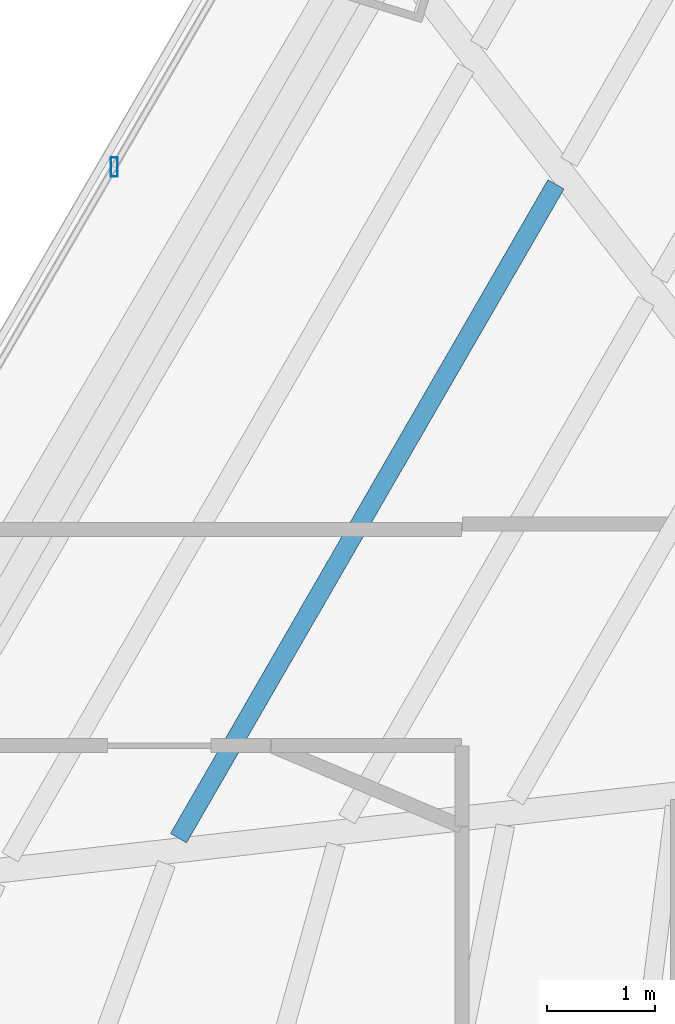
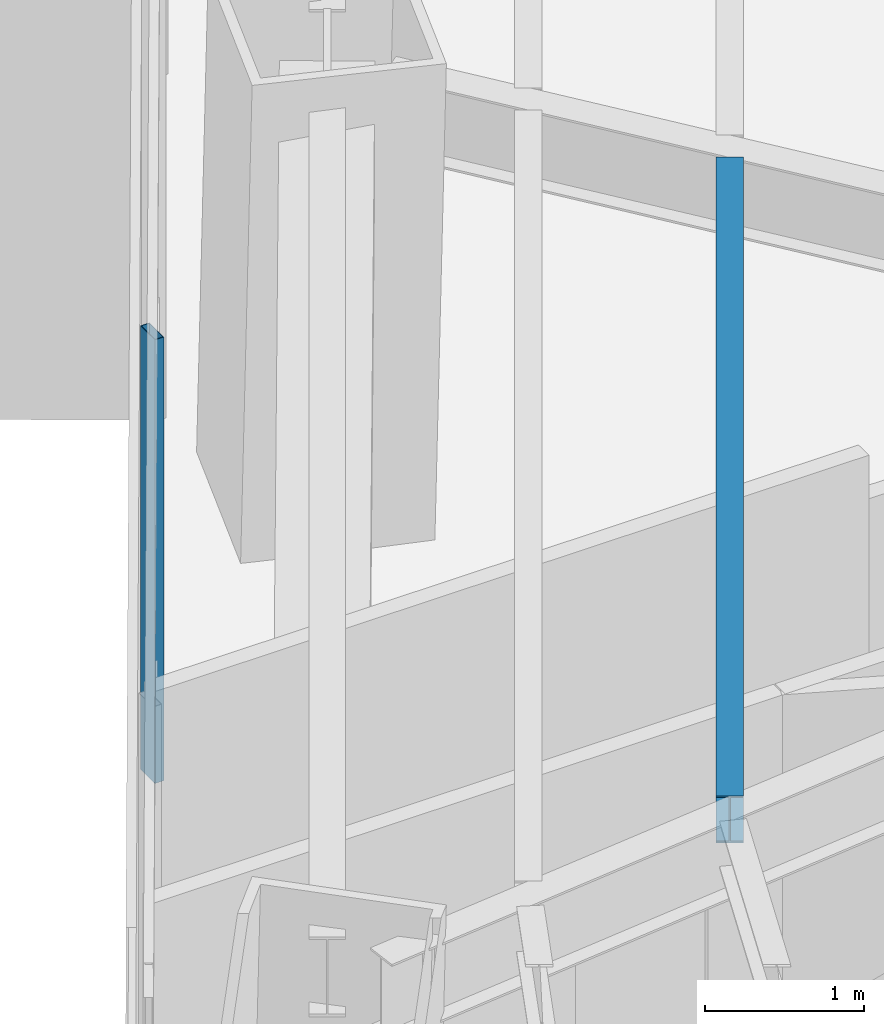
# One storey, part 14 of 38: 1 beam, 1 member, 1 element without a shape of its own.
"""IFC4 building model written with IfcOpenShell, lengths in metres."""

from ifc_helpers import new_model, si_unit, direction, frame, origin, origin_2d, place, context, subcontext, project, spatial, hollow_rectangle, i_section, extrude, source, transform, mapped, material, material_profile, profile_set, type_object, type_shapes, element, aggregate, save


model = new_model("IFC4")

# Units and contexts
model_context = context("Model", 3, precision=1e-05, world=origin(), true_north=direction((0.0, 1.0)))
body_context = subcontext(model_context, "Body", "Model", "MODEL_VIEW")
ifc_project = project(units=[si_unit("LENGTHUNIT", "METRE"), si_unit("AREAUNIT", "SQUARE_METRE"), si_unit("VOLUMEUNIT", "CUBIC_METRE"), si_unit("PLANEANGLEUNIT", "RADIAN"), si_unit("MASSUNIT", "GRAM", prefix="KILO")], contexts=[model_context])

# Site, building, storey
site_placement = place(None, origin())
site = spatial("IfcSite", under=ifc_project, at=site_placement, CompositionType="ELEMENT")
building_placement = place(site_placement, origin())
building = spatial("IfcBuilding", under=site, at=building_placement, Name="Caelisora Broadcast Tower", CompositionType="ELEMENT")
storey_placement = place(building_placement, frame((0.0, 0.0, 67.75)))
storey = spatial("IfcBuildingStorey", under=building, at=storey_placement, Name="L17", CompositionType="ELEMENT", Elevation=67.75)

# Beam
ifc_material_1 = material(Name="Steel Grade 350 (AS/NZS 3679.1)", Category="steel")
ifc_material_profile_1 = material_profile(ifc_material_1, i_section(OverallWidth=0.172119140625, OverallDepth=0.358642578125, WebThickness=0.008056640625, FlangeThickness=0.012939453125, at=origin_2d()), Name="Steel Grade 350 (AS/NZS 3679.1)")
ifc_profile_set_1 = profile_set([ifc_material_profile_1], Name="Steel Grade 350 (AS/NZS 3679.1)")
beam_type = type_object("IfcBeamType", Name="SB02", PredefinedType="JOIST", material=ifc_profile_set_1)
shared_shape_1 = source(origin(), body_context, "Body", "SweptSolid", [
    extrude(i_section(OverallWidth=0.172119140625, OverallDepth=0.358642578125, WebThickness=0.008056640625, FlangeThickness=0.012939453125, at=origin_2d()), origin(), (0.0, 0.0, 1.0), 6.989990234375),
])
type_shapes(beam_type, [shared_shape_1])
beam_placement = place(storey_placement, frame((26.26904296875, 35.29638671875, 3.220703125), z_axis=(-0.49998952364, -0.866031452229, 0.0), x_axis=(0.866031452229, -0.49998952364, 0.0)))
element("IfcBeam", 1, at=beam_placement, inside=storey, type_object=beam_type, Name="L17 beam SB02", PredefinedType="JOIST", context=body_context, shape_type="MappedRepresentation", body=[
    mapped(shared_shape_1, transform((0.0, 0.0, 0.0), scale=1.0)),
])

# Curtain wall, member
ifc_material_2 = material(Name="Unitised Aluminium Insulated Shadow-Box Spandrel Curtain Wall", Category="aluminium")
curtain_wall_type = type_object("IfcCurtainWallType", Name="CW-SP1", PredefinedType="NOTDEFINED", material=ifc_material_2)
curtain_wall_placement = place(storey_placement, origin())
curtain_wall = element("IfcCurtainWall", 2, at=curtain_wall_placement, inside=storey, type_object=curtain_wall_type, Name="L17 curtain wall CW-SP1", PredefinedType="NOTDEFINED")
ifc_material_3 = material(Name="Aluminium 6063-T6 Anodised Terracotta Bronze", Category="aluminium")
ifc_material_profile_2 = material_profile(ifc_material_3, hollow_rectangle(XDim=0.06494140625, YDim=0.179931640625, WallThickness=0.00341796875, at=origin_2d()), Name="Aluminium 6063-T6 Anodised Terracotta Bronze")
ifc_profile_set_2 = profile_set([ifc_material_profile_2], Name="Aluminium 6063-T6 Anodised Terracotta Bronze")
member_type = type_object("IfcMemberType", Name="CWM-02", PredefinedType="MULLION", material=ifc_profile_set_2)
shared_shape_2 = source(origin(), body_context, "Body", "SweptSolid", [
    extrude(hollow_rectangle(XDim=0.06494140625, YDim=0.179931640625, WallThickness=0.00341796875, at=origin_2d()), origin(), (0.0, 0.0, 1.0), 3.39990234375),
])
type_shapes(member_type, [shared_shape_2])
member_placement = place(storey_placement, frame((22.1787109375, 35.45849609375, 0.0), z_axis=(0.0, 0.0, 1.0), x_axis=(1.0, 0.0, 0.0)))
member = element("IfcMember", 3, at=member_placement, type_object=member_type, Name="L17-CW-B10 mullion #2", PredefinedType="MULLION", context=body_context, shape_type="MappedRepresentation", body=[
    mapped(shared_shape_2, transform((0.0, 0.0, 0.0), scale=1.0)),
])
aggregate(curtain_wall, [member])

save(model, "model.ifc")
